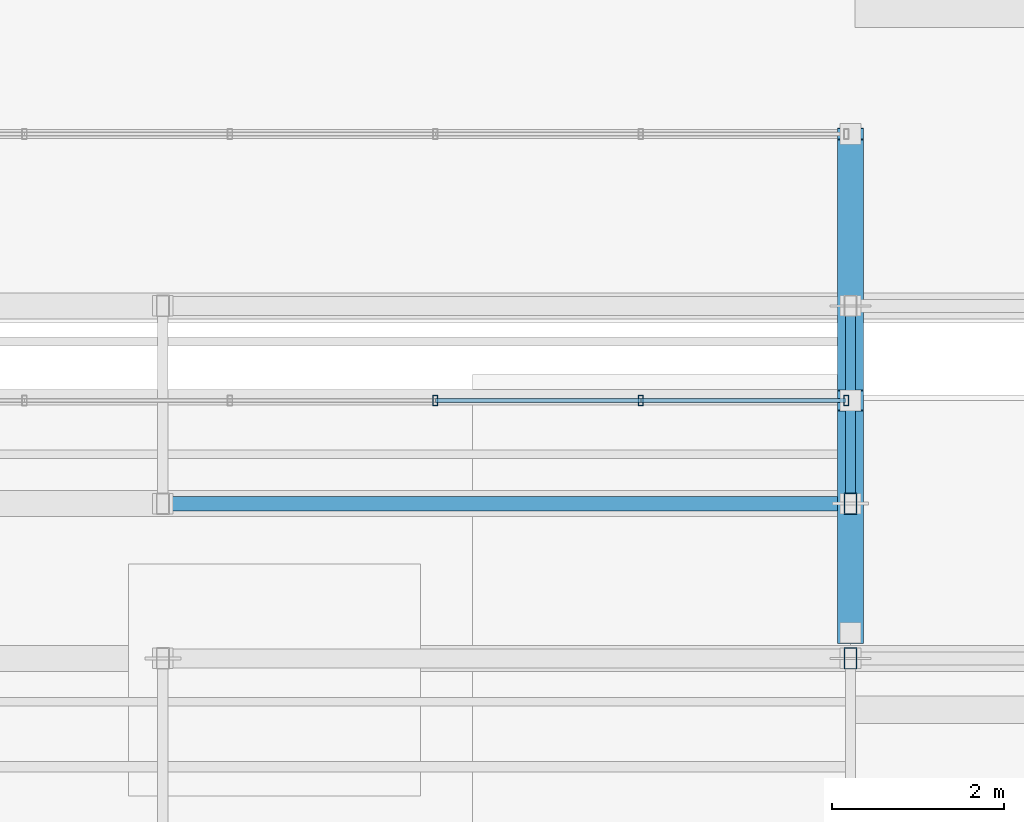
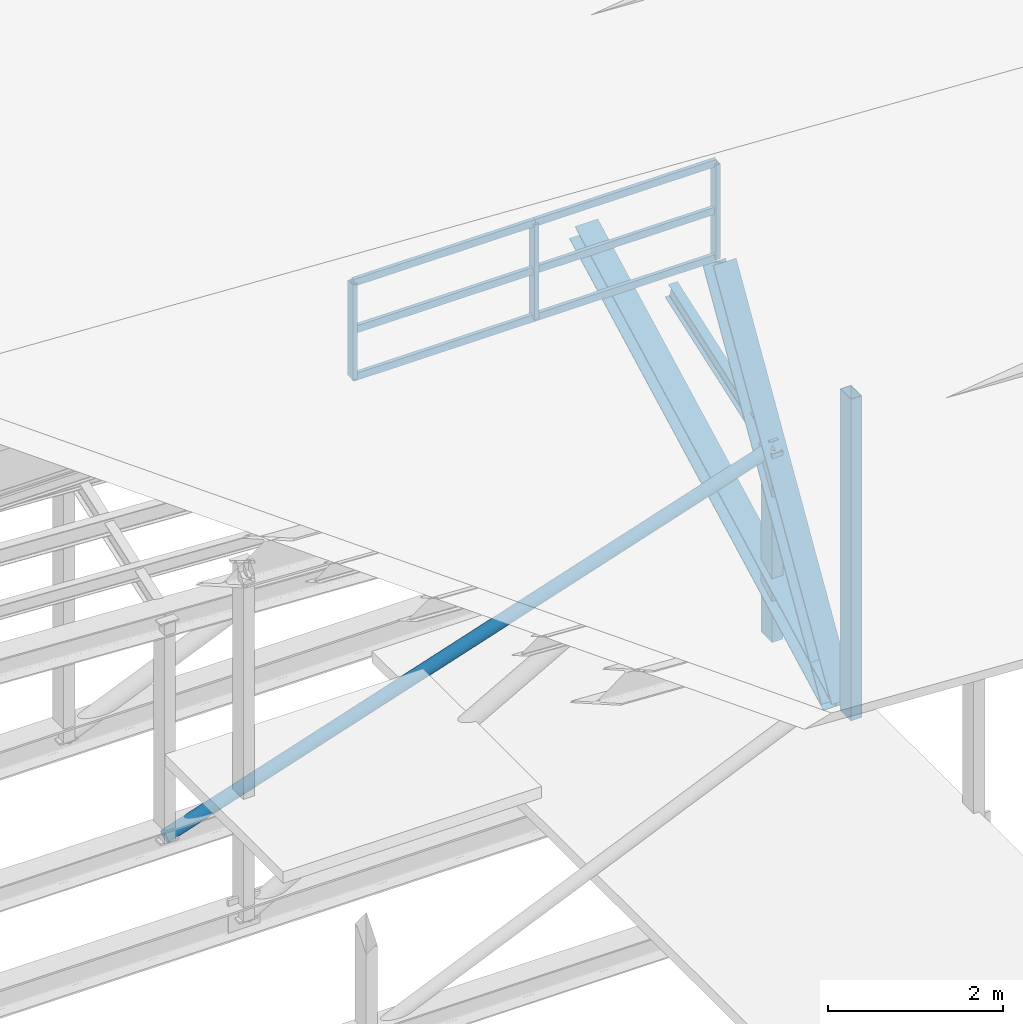
# One storey, part 121 of 141: 15 members, 1 element without a shape of its own.
"""IFC4 building model written with IfcOpenShell, lengths in metres."""

from ifc_helpers import new_model, si_unit, direction, frame, origin, origin_2d, place, context, subcontext, project, spatial, hollow_rectangle, hollow_circle, i_section, extrude, material, material_profile, profile_set, type_object, element, aggregate, save


model = new_model("IFC4")

# Units and contexts
model_context = context("Model", 3, precision=1e-05, world=origin(), true_north=direction((0.0, 1.0)))
body_context = subcontext(model_context, "Body", "Model", "MODEL_VIEW")
ifc_project = project(units=[si_unit("LENGTHUNIT", "METRE"), si_unit("AREAUNIT", "SQUARE_METRE"), si_unit("VOLUMEUNIT", "CUBIC_METRE"), si_unit("PLANEANGLEUNIT", "RADIAN"), si_unit("MASSUNIT", "GRAM", prefix="KILO")], contexts=[model_context])

# Site, building, storey
site_placement = place(None, origin())
site = spatial("IfcSite", under=ifc_project, at=site_placement, CompositionType="ELEMENT")
building_placement = place(site_placement, origin())
building = spatial("IfcBuilding", under=site, at=building_placement, Name="Sundkrona Museum", CompositionType="ELEMENT")
storey_placement = place(building_placement, frame((0.0, 0.0, 34.0)))
storey = spatial("IfcBuildingStorey", under=building, at=storey_placement, Name="RF", CompositionType="ELEMENT", Elevation=34.0)

# Members
ifc_material_1 = material(Name="Steel S355J2", Category="steel")
ifc_material_profile_1 = material_profile(ifc_material_1, i_section(OverallWidth=0.300048828125, OverallDepth=0.2900390625, WebThickness=0.008544921875, FlangeThickness=0.013916015625, FilletRadius=0.027099609375, at=origin_2d()), Name="HEA 300")
ifc_profile_set_1 = profile_set([ifc_material_profile_1], Name="Steel S355J2")
member_type_1 = type_object("IfcMemberType", Name="BR-HEA300", PredefinedType="BRACE", material=ifc_profile_set_1)
member_1_placement = place(storey_placement, frame((168.0, 40.0, -0.25), z_axis=(0.0, 0.516775406415, 0.856121007408), x_axis=(-1.0, 0.0, 0.0)))
element("IfcMember", 1, at=member_1_placement, inside=storey, type_object=member_type_1, Name="RFS-1 Sawtooth Bay 6 Clerestory Corner Post E", PredefinedType="BRACE", context=body_context, shape_type="SweptSolid", body=[
    extrude(i_section(OverallWidth=0.300048828125, OverallDepth=0.2900390625, WebThickness=0.008544921875, FlangeThickness=0.013916015625, FilletRadius=0.027099609375, at=origin_2d()), origin(), (0.0, 0.0, 1.0), 5.224609375),
])
member_2_placement = place(storey_placement, frame((168.0, 40.0, -0.25), z_axis=(0.0, 0.884898022046, 0.465784811453), x_axis=(-1.0, 0.0, 0.0)))
element("IfcMember", 2, at=member_2_placement, inside=storey, type_object=member_type_1, Name="RFS-1 Sawtooth Bay 7 Clerestory Corner Post E", PredefinedType="BRACE", context=body_context, shape_type="SweptSolid", body=[
    extrude(i_section(OverallWidth=0.300048828125, OverallDepth=0.2900390625, WebThickness=0.008544921875, FlangeThickness=0.013916015625, FilletRadius=0.027099609375, at=origin_2d()), origin(), (0.0, 0.0, 1.0), 6.554443359375),
])

# Curtain wall, members
ifc_material_2 = material(Name="Unitised Aluminium-Steel and Ceramic-Clad Curtain Walling", Category="steel")
curtain_wall_type = type_object("IfcCurtainWallType", Name="CW-SW-240x13", PredefinedType="NOTDEFINED", material=ifc_material_2)
curtain_wall_placement = place(storey_placement, origin())
curtain_wall = element("IfcCurtainWall", 3, at=curtain_wall_placement, inside=storey, type_object=curtain_wall_type, Name="Sawtooth Bay 6 East North-Light Clerestory", PredefinedType="NOTDEFINED")
ifc_material_3 = material(Name="Aluminium EN AW-6060 T66", Category="aluminium")
ifc_material_profile_2 = material_profile(ifc_material_3, hollow_rectangle(XDim=0.06005859375, YDim=0.1201171875, WallThickness=0.0048828125, at=origin_2d()), Name="RHS 120x60x5.0")
ifc_profile_set_2 = profile_set([ifc_material_profile_2], Name="Aluminium EN AW-6060 T66")
member_type_2 = type_object("IfcMemberType", Name="ML-120", PredefinedType="MULLION", material=ifc_profile_set_2)
member_3_placement = place(storey_placement, frame((163.169921875, 42.699951171875, 4.31298828125), z_axis=(0.0, 0.0, 1.0), x_axis=(1.0, 0.0, 0.0)))
member_3 = element("IfcMember", 4, at=member_3_placement, type_object=member_type_2, Name="CW-RF-SAW-06E Mullion 09", PredefinedType="MULLION", context=body_context, shape_type="SweptSolid", body=[
    extrude(hollow_rectangle(XDim=0.06005859375, YDim=0.1201171875, WallThickness=0.0048828125, at=origin_2d()), origin(), (0.0, 0.0, 1.0), 1.320068359375),
])
member_4_placement = place(storey_placement, frame((165.56005859375, 42.699951171875, 4.31298828125), z_axis=(0.0, 0.0, 1.0), x_axis=(1.0, 0.0, 0.0)))
member_4 = element("IfcMember", 5, at=member_4_placement, type_object=member_type_2, Name="CW-RF-SAW-06E Mullion 10", PredefinedType="MULLION", context=body_context, shape_type="SweptSolid", body=[
    extrude(hollow_rectangle(XDim=0.06005859375, YDim=0.1201171875, WallThickness=0.0048828125, at=origin_2d()), origin(), (0.0, 0.0, 1.0), 1.320068359375),
])
member_5_placement = place(storey_placement, frame((167.949951171875, 42.699951171875, 4.31298828125), z_axis=(0.0, 0.0, 1.0), x_axis=(1.0, 0.0, 0.0)))
member_5 = element("IfcMember", 6, at=member_5_placement, type_object=member_type_2, Name="CW-RF-SAW-06E Mullion 11", PredefinedType="MULLION", context=body_context, shape_type="SweptSolid", body=[
    extrude(hollow_rectangle(XDim=0.06005859375, YDim=0.1201171875, WallThickness=0.0048828125, at=origin_2d()), origin(), (0.0, 0.0, 1.0), 1.320068359375),
])

# Members
ifc_material_profile_3 = material_profile(ifc_material_1, i_section(OverallWidth=0.1201171875, OverallDepth=0.239990234375, WebThickness=0.006103515625, FlangeThickness=0.009765625, FilletRadius=0.014892578125, at=origin_2d()), Name="IPE 240")
ifc_profile_set_3 = profile_set([ifc_material_profile_3], Name="Steel S355J2")
member_type_3 = type_object("IfcMemberType", Name="PR-IPE240", PredefinedType="PURLIN", material=ifc_profile_set_3)
member_6_placement = place(storey_placement, frame((168.0, 41.5, 2.36865234375), z_axis=(0.0, 0.943650478915, 0.330943762056), x_axis=(-1.0, 0.0, 0.0)))
element("IfcMember", 7, at=member_6_placement, inside=storey, type_object=member_type_3, Name="RFS-1 Sawtooth Bay 7 Transverse Rafter 7", PredefinedType="PURLIN", context=body_context, shape_type="SweptSolid", body=[
    extrude(i_section(OverallWidth=0.1201171875, OverallDepth=0.239990234375, WebThickness=0.006103515625, FlangeThickness=0.009765625, FilletRadius=0.014892578125, at=origin_2d()), origin(), (0.0, 0.0, 1.0), 2.4375),
])
ifc_material_profile_4 = material_profile(ifc_material_1, hollow_circle(Radius=0.084228515625, WallThickness=0.008056640625, at=origin_2d()), Name="CHS 168.3x8.0")
ifc_profile_set_4 = profile_set([ifc_material_profile_4], Name="Steel S355J2")
member_type_4 = type_object("IfcMemberType", Name="ST-CHS168", PredefinedType="STRUT", material=ifc_profile_set_4)
member_7_placement = place(storey_placement, frame((160.0, 41.5, -0.25), z_axis=(0.950380603868, 0.0, 0.311089549472), x_axis=(0.0, 1.0, 0.0)))
element("IfcMember", 8, at=member_7_placement, inside=storey, type_object=member_type_4, Name="RFS-1 Sawtooth Valley Truss 7 Web Strut 6", PredefinedType="STRUT", context=body_context, shape_type="SweptSolid", body=[
    extrude(hollow_circle(Radius=0.084228515625, WallThickness=0.008056640625, at=origin_2d()), origin(), (0.0, 0.0, 1.0), 8.417724609375),
])
ifc_material_profile_5 = material_profile(ifc_material_1, hollow_rectangle(XDim=0.14990234375, YDim=0.25, WallThickness=0.010009765625, at=origin_2d()), Name="RHS 250x150x10.0")
ifc_profile_set_5 = profile_set([ifc_material_profile_5], Name="Steel S355J2")
member_type_5 = type_object("IfcMemberType", Name="ST-RHS250", PredefinedType="STRUT", material=ifc_profile_set_5)
member_8_placement = place(storey_placement, frame((168.0, 39.699951171875, -0.25), z_axis=(0.0, 0.0, 1.0), x_axis=(1.0, 0.0, 0.0)))
element("IfcMember", 9, at=member_8_placement, inside=storey, type_object=member_type_5, Name="RFS-1 Sawtooth Truss 6 Vertical Post 7", PredefinedType="STRUT", context=body_context, shape_type="SweptSolid", body=[
    extrude(hollow_rectangle(XDim=0.14990234375, YDim=0.25, WallThickness=0.010009765625, at=origin_2d()), origin(), (0.0, 0.0, 1.0), 4.4775390625),
])
member_9_placement = place(storey_placement, frame((168.0, 41.5, -0.25), z_axis=(0.0, 0.0, 1.0), x_axis=(1.0, 0.0, 0.0)))
element("IfcMember", 10, at=member_9_placement, inside=storey, type_object=member_type_5, Name="RFS-1 Sawtooth Bay 7 Valley Post 7", PredefinedType="STRUT", context=body_context, shape_type="SweptSolid", body=[
    extrude(hollow_rectangle(XDim=0.14990234375, YDim=0.25, WallThickness=0.010009765625, at=origin_2d()), origin(), (0.0, 0.0, 1.0), 2.61865234375),
])

# Member
ifc_material_profile_6 = material_profile(ifc_material_3, hollow_rectangle(XDim=0.050048828125, YDim=0.10009765625, WallThickness=0.0048828125, at=origin_2d()), Name="RHS 100x50x5.0")
ifc_profile_set_6 = profile_set([ifc_material_profile_6], Name="Aluminium EN AW-6060 T66")
member_type_6 = type_object("IfcMemberType", Name="TR-100", PredefinedType="USERDEFINED", material=ifc_profile_set_6)
member_10_placement = place(storey_placement, frame((163.169921875, 42.699951171875, 4.31298828125), z_axis=(1.0, 0.0, 0.0), x_axis=(0.0, 1.0, 0.0)))
member_10 = element("IfcMember", 11, at=member_10_placement, type_object=member_type_6, Name="CW-RF-SAW-06E Transom 25", ObjectType="TRANSOM", PredefinedType="USERDEFINED", context=body_context, shape_type="SweptSolid", body=[
    extrude(hollow_rectangle(XDim=0.050048828125, YDim=0.10009765625, WallThickness=0.0048828125, at=origin_2d()), origin(), (0.0, 0.0, 1.0), 2.39013671875),
])

member_11_placement = place(storey_placement, frame((163.169921875, 42.699951171875, 4.972900390625), z_axis=(1.0, 0.0, 0.0), x_axis=(0.0, 1.0, 0.0)))
member_11 = element("IfcMember", 12, at=member_11_placement, type_object=member_type_6, Name="CW-RF-SAW-06E Transom 26", ObjectType="TRANSOM", PredefinedType="USERDEFINED", context=body_context, shape_type="SweptSolid", body=[
    extrude(hollow_rectangle(XDim=0.050048828125, YDim=0.10009765625, WallThickness=0.0048828125, at=origin_2d()), origin(), (0.0, 0.0, 1.0), 2.39013671875),
])

member_12_placement = place(storey_placement, frame((163.169921875, 42.699951171875, 5.633056640625), z_axis=(1.0, 0.0, 0.0), x_axis=(0.0, 1.0, 0.0)))
member_12 = element("IfcMember", 13, at=member_12_placement, type_object=member_type_6, Name="CW-RF-SAW-06E Transom 27", ObjectType="TRANSOM", PredefinedType="USERDEFINED", context=body_context, shape_type="SweptSolid", body=[
    extrude(hollow_rectangle(XDim=0.050048828125, YDim=0.10009765625, WallThickness=0.0048828125, at=origin_2d()), origin(), (0.0, 0.0, 1.0), 2.39013671875),
])

member_13_placement = place(storey_placement, frame((165.56005859375, 42.699951171875, 4.31298828125), z_axis=(1.0, 0.0, 0.0), x_axis=(0.0, 1.0, 0.0)))
member_13 = element("IfcMember", 14, at=member_13_placement, type_object=member_type_6, Name="CW-RF-SAW-06E Transom 28", ObjectType="TRANSOM", PredefinedType="USERDEFINED", context=body_context, shape_type="SweptSolid", body=[
    extrude(hollow_rectangle(XDim=0.050048828125, YDim=0.10009765625, WallThickness=0.0048828125, at=origin_2d()), origin(), (0.0, 0.0, 1.0), 2.389892578125),
])

member_14_placement = place(storey_placement, frame((165.56005859375, 42.699951171875, 4.972900390625), z_axis=(1.0, 0.0, 0.0), x_axis=(0.0, 1.0, 0.0)))
member_14 = element("IfcMember", 15, at=member_14_placement, type_object=member_type_6, Name="CW-RF-SAW-06E Transom 29", ObjectType="TRANSOM", PredefinedType="USERDEFINED", context=body_context, shape_type="SweptSolid", body=[
    extrude(hollow_rectangle(XDim=0.050048828125, YDim=0.10009765625, WallThickness=0.0048828125, at=origin_2d()), origin(), (0.0, 0.0, 1.0), 2.389892578125),
])

member_15_placement = place(storey_placement, frame((165.56005859375, 42.699951171875, 5.633056640625), z_axis=(1.0, 0.0, 0.0), x_axis=(0.0, 1.0, 0.0)))
member_15 = element("IfcMember", 16, at=member_15_placement, type_object=member_type_6, Name="CW-RF-SAW-06E Transom 30", ObjectType="TRANSOM", PredefinedType="USERDEFINED", context=body_context, shape_type="SweptSolid", body=[
    extrude(hollow_rectangle(XDim=0.050048828125, YDim=0.10009765625, WallThickness=0.0048828125, at=origin_2d()), origin(), (0.0, 0.0, 1.0), 2.389892578125),
])

aggregate(curtain_wall, [member_3, member_4, member_5, member_10, member_11, member_12, member_13, member_14, member_15])

save(model, "model.ifc")
